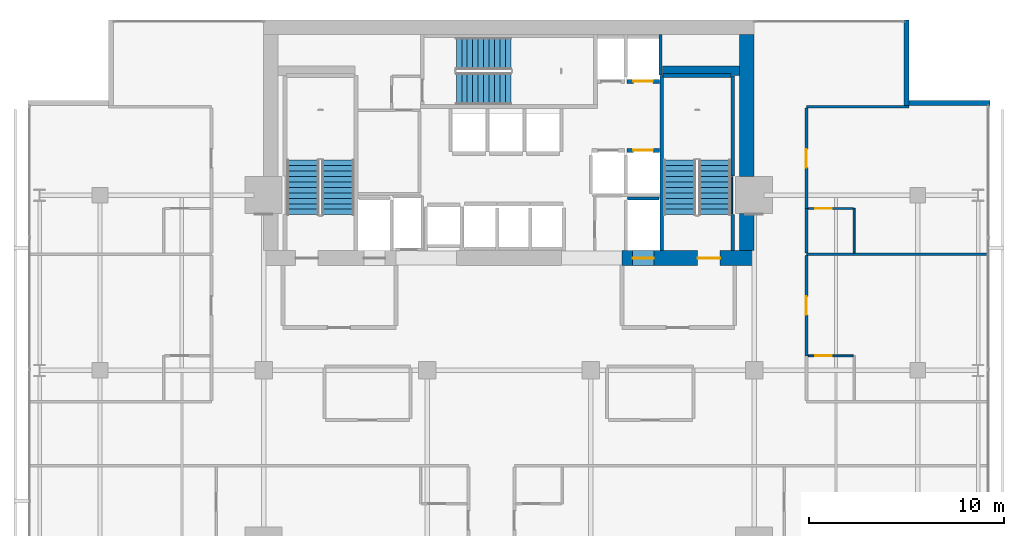
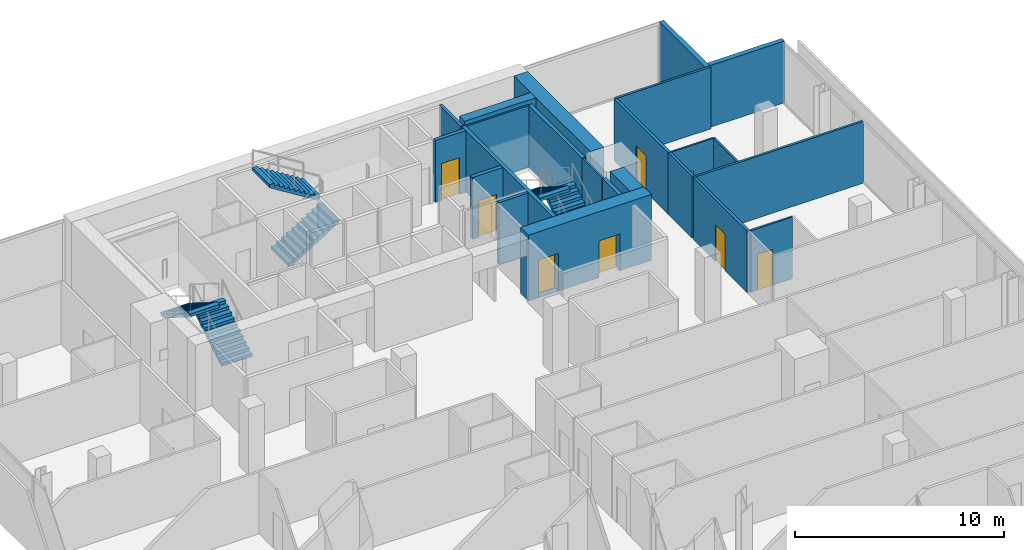
# One storey, part 31 of 34: 23 walls, 8 doors, 6 stair flights, 8 openings, 3 elements without a shape of their own.
"""IFC4 building model written with IfcOpenShell, lengths in metres."""

import ifcopenshell
import ifcopenshell.guid

model = None  # the IFC model being written
_history = None  # IfcOwnerHistory: only IFC2X3 demands one
_inside = {}  # id of a spatial element -> (the spatial element, [elements in it])
_under = {}  # id of a project, library or spatial element -> (it, [spatial elements below it])
_declared = {}  # id of a project -> (the project, [libraries it declares])
_typed = {}  # id of a type object -> (the type object, [elements of that type])
_made_of = {}  # id of a material, layer set ... -> (it, [elements and type objects made of it])


def new_model(schema):
    """Start an empty IFC model of exactly this schema.

    Asked for "IFC4X3", IfcOpenShell would pick the latest addendum, in which some entities
    have other attributes; the version numbers below select the first issue.
    IFC2X3 requires an IfcOwnerHistory on every rooted entity: one is made here for all.
    """
    global model, _history
    if schema == "IFC4X3":
        model = ifcopenshell.file(schema_version=(4, 3, 0, 0))
    else:
        model = ifcopenshell.file(schema=schema)
    _inside.clear()
    _under.clear()
    _declared.clear()
    _typed.clear()
    _made_of.clear()
    _history = None
    if model.schema == "IFC2X3":
        org = make("IfcOrganization", Name="unknown")
        user = make(
            "IfcPersonAndOrganization",
            ThePerson=make("IfcPerson", FamilyName="unknown"),
            TheOrganization=org,
        )
        app = make(
            "IfcApplication",
            ApplicationDeveloper=org,
            Version="unknown",
            ApplicationFullName="unknown",
            ApplicationIdentifier="unknown",
        )
        _history = make(
            "IfcOwnerHistory",
            OwningUser=user,
            OwningApplication=app,
            ChangeAction="ADDED",
            CreationDate=0,
        )
    return model


def make(cls, **values):
    """One entity of the class cls with the attributes given. An attribute that is None is left unset."""
    return model.create_entity(
        cls, **{name: value for name, value in values.items() if value is not None}
    )


def rooted(cls, **values):
    """An entity with a GlobalId (a new one), such as an element, a storey or a relation."""
    return make(cls, GlobalId=ifcopenshell.guid.new(), OwnerHistory=_history, **values)


def si_unit(unit_type, name, prefix=None):
    """IfcSIUnit, for example si_unit("LENGTHUNIT", "METRE", prefix="MILLI")."""
    return make("IfcSIUnit", UnitType=unit_type, Prefix=prefix, Name=name)


def assignment(units):
    """IfcUnitAssignment: the units of a project."""
    return None if units is None else make("IfcUnitAssignment", Units=units)


def point(xyz):
    """IfcCartesianPoint."""
    return None if xyz is None else make("IfcCartesianPoint", Coordinates=xyz)


def direction(xyz):
    """IfcDirection."""
    return None if xyz is None else make("IfcDirection", DirectionRatios=xyz)


def frame(location, z_axis=None, x_axis=None):
    """IfcAxis2Placement3D, a coordinate frame: its origin and axes. An axis left out is left unset."""
    return make(
        "IfcAxis2Placement3D",
        Location=point(location),
        Axis=direction(z_axis),
        RefDirection=direction(x_axis),
    )


def frame_2d(location, x_axis=None):
    """IfcAxis2Placement2D, a coordinate frame in the plane: its origin and x axis."""
    return make(
        "IfcAxis2Placement2D", Location=point(location), RefDirection=direction(x_axis)
    )


def origin():
    """The frame at (0, 0, 0) with its axes left unset."""
    return frame((0.0, 0.0, 0.0))


def place(relative_to, where):
    """IfcLocalPlacement: puts the frame where relative to a parent placement (None: the world)."""
    return make(
        "IfcLocalPlacement", PlacementRelTo=relative_to, RelativePlacement=where
    )


def context(
    kind, dimensions, precision=None, world=None, true_north=None, identifier=None
):
    """IfcGeometricRepresentationContext, for example the 3D "Model" context."""
    return make(
        "IfcGeometricRepresentationContext",
        ContextIdentifier=identifier,
        ContextType=kind,
        CoordinateSpaceDimension=dimensions,
        Precision=precision,
        WorldCoordinateSystem=world,
        TrueNorth=true_north,
    )


def subcontext(parent, identifier, kind, view, scale=None):
    """IfcGeometricRepresentationSubContext, for example "Body" below "Model"."""
    return make(
        "IfcGeometricRepresentationSubContext",
        ContextIdentifier=identifier,
        ContextType=kind,
        ParentContext=parent,
        TargetScale=scale,
        TargetView=view,
    )


def project(units=None, contexts=None):
    """IfcProject with its units and contexts."""
    return rooted(
        "IfcProject",
        Name="project",
        RepresentationContexts=contexts,
        UnitsInContext=assignment(units),
    )


def spatial(cls, under=None, at=None, **own):
    """A site, building, storey or space (cls), placed at a placement, below another one or the project."""
    s = rooted(cls, ObjectPlacement=at, **own)
    if under is not None:
        _under.setdefault(under.id(), (under, []))[1].append(s)
    return s


def polyline(points):
    """IfcPolyline through the points."""
    return make("IfcPolyline", Points=[point(p) for p in points])


def profile(cls, at=None, kind="AREA", **sizes):
    """A parametric profile (cls). Its sizes go by their IFC names, for example OverallWidth=200.0."""
    return make(cls, ProfileType=kind, Position=at, **sizes)


def rectangle(**sizes):
    """IfcRectangleProfileDef."""
    return profile("IfcRectangleProfileDef", **sizes)


def outline(outer, holes=None, kind="AREA"):
    """IfcArbitraryClosedProfileDef: a profile drawn as a closed curve; with holes, ...WithVoids."""
    if holes is None:
        return make("IfcArbitraryClosedProfileDef", ProfileType=kind, OuterCurve=outer)
    return make(
        "IfcArbitraryProfileDefWithVoids",
        ProfileType=kind,
        OuterCurve=outer,
        InnerCurves=holes,
    )


def extrude(swept, where, along, depth):
    """IfcExtrudedAreaSolid: the profile swept, set in the frame where, extruded along a direction by depth."""
    return make(
        "IfcExtrudedAreaSolid",
        SweptArea=swept,
        Position=where,
        ExtrudedDirection=direction(along),
        Depth=depth,
    )


def shape(context_of_items, identifier, shape_type, items):
    """IfcShapeRepresentation: the items that make up one representation, for example the "Body"."""
    return make(
        "IfcShapeRepresentation",
        ContextOfItems=context_of_items,
        RepresentationIdentifier=identifier,
        RepresentationType=shape_type,
        Items=items,
    )


def material(Name=None, Category=None):
    """IfcMaterial."""
    return make("IfcMaterial", Name=Name, Category=Category)


def layer(
    of_material, thickness, ventilated=None, Name=None, Category=None, Priority=None
):
    """IfcMaterialLayer: one layer of a wall or slab, of a material (None: an air gap)."""
    return make(
        "IfcMaterialLayer",
        Material=of_material,
        LayerThickness=thickness,
        IsVentilated=ventilated,
        Name=Name,
        Category=Category,
        Priority=Priority,
    )


def layer_set(layers, Name=None):
    """IfcMaterialLayerSet."""
    return make("IfcMaterialLayerSet", MaterialLayers=layers, LayerSetName=Name)


def made_of(thing, what):
    """Note that an element or type object is made of a material, layer set ...; save() writes the relation."""
    if what is not None:
        _made_of.setdefault(what.id(), (what, []))[1].append(thing)
    return thing


def type_object(cls, material=None, **own):
    """A type object (cls), such as IfcWallType, which elements share."""
    return made_of(rooted(cls, **own), material)


def element(
    cls,
    number,
    at=None,
    inside=None,
    cuts=None,
    type_object=None,
    material=None,
    context=None,
    identifier="Body",
    shape_type=None,
    held_by="IfcProductDefinitionShape",
    body=None,
    shapes=None,
    **own,
):
    """One element of the class cls, such as IfcWall. Its Tag is "e" and its number.

    at: its placement. inside: the storey or other place that contains it. cuts: it is an
    opening in that element (IfcRelVoidsElement). A single representation is given by context,
    identifier, shape_type and body (its items); several are given by shapes. held_by: the class
    of the entity that holds the representations. save() writes the other relations.
    """
    e = rooted(cls, Tag="e%d" % number, ObjectPlacement=at, **own)
    if body is not None:
        shapes = [shape(context, identifier, shape_type, body)]
    if shapes is not None:
        e.Representation = make(held_by, Representations=shapes)
    if inside is not None:
        _inside.setdefault(inside.id(), (inside, []))[1].append(e)
    if cuts is not None:
        rooted(
            "IfcRelVoidsElement", RelatingBuildingElement=cuts, RelatedOpeningElement=e
        )
    if type_object is not None:
        _typed.setdefault(type_object.id(), (type_object, []))[1].append(e)
    return made_of(e, material)


def fill(opening, filler):
    """IfcRelFillsElement: the door or window that sits in an opening."""
    return rooted(
        "IfcRelFillsElement",
        RelatingOpeningElement=opening,
        RelatedBuildingElement=filler,
    )


def aggregate(whole, parts):
    """IfcRelAggregates: a whole, such as a stair, and the parts it consists of."""
    return rooted("IfcRelAggregates", RelatingObject=whole, RelatedObjects=parts)


def save(model, path):
    """Write the relations noted so far, then the file.

    IfcRelAggregates (storeys below a building ...), IfcRelContainedInSpatialStructure (elements
    in a storey), IfcRelDefinesByType, IfcRelAssociatesMaterial and IfcRelDeclares: one each for
    every whole, place, type object, material and project.
    """
    for whole, parts in _under.values():
        aggregate(whole, parts)
    for where, things in _inside.values():
        rooted(
            "IfcRelContainedInSpatialStructure",
            RelatedElements=things,
            RelatingStructure=where,
        )
    for kind, things in _typed.values():
        rooted("IfcRelDefinesByType", RelatedObjects=things, RelatingType=kind)
    for what, things in _made_of.values():
        rooted("IfcRelAssociatesMaterial", RelatedObjects=things, RelatingMaterial=what)
    for by, libraries in _declared.values():
        rooted("IfcRelDeclares", RelatingContext=by, RelatedDefinitions=libraries)
    model.write(path)


model = new_model("IFC4")

# Units and contexts
model_context = context("Model", 3, precision=1e-05, world=origin(), true_north=direction((0.0, 1.0)))
body_context = subcontext(model_context, "Body", "Model", "MODEL_VIEW")
ifc_project = project(units=[si_unit("LENGTHUNIT", "METRE"), si_unit("AREAUNIT", "SQUARE_METRE"), si_unit("VOLUMEUNIT", "CUBIC_METRE"), si_unit("PLANEANGLEUNIT", "RADIAN"), si_unit("MASSUNIT", "GRAM", prefix="KILO")], contexts=[model_context])

# Site, building, storey
site_placement = place(None, origin())
site = spatial("IfcSite", under=ifc_project, at=site_placement, CompositionType="ELEMENT")
building_placement = place(site_placement, origin())
building = spatial("IfcBuilding", under=site, at=building_placement, Name="Maruvema Waterfront Hotel and Observation Tower", CompositionType="ELEMENT")
storey_placement = place(building_placement, frame((0.0, 0.0, 189.0)))
storey = spatial("IfcBuildingStorey", under=building, at=storey_placement, Name="L46", CompositionType="ELEMENT", Elevation=189.0)

# Wall, opening, door
ifc_material_1 = material(Name="Twin-stud acoustic gypsum drywall", Category="gypsum")
ifc_layer_1 = layer(ifc_material_1, 0.14990234375, Name="Acoustic Corridor and Suite Demising Wall 150 mm")
ifc_layer_set_1 = layer_set([ifc_layer_1], Name="Twin-stud acoustic gypsum drywall")
wall_type_1 = type_object("IfcWallType", Name="Acoustic Corridor and Suite Demising Wall 150 mm", PredefinedType="PARTITIONING", material=ifc_layer_set_1)
wall_1_placement = place(storey_placement, frame((53.080078125, 36.75, 0.0), z_axis=(0.0, 0.0, 1.0), x_axis=(0.0, 1.0, 0.0)))
wall_1 = element("IfcWall", 1, at=wall_1_placement, inside=storey, type_object=wall_type_1, Name="L46 Room L46-NE1 Corridor Wall 113", PredefinedType="PARTITIONING", context=body_context, shape_type="SweptSolid", body=[
    extrude(rectangle(XDim=5.15869140625, YDim=0.14990234375, at=frame_2d((2.579345703125, 0.0))), origin(), (0.0, 0.0, 1.0), 3.610107421875),
])
opening_1_placement = place(wall_1_placement, frame((2.1044921875, 0.0, 0.0)))
opening_1 = element("IfcOpeningElement", 2, at=opening_1_placement, cuts=wall_1, Name="Opening DR-095", PredefinedType="OPENING", context=body_context, shape_type="SweptSolid", body=[
    extrude(rectangle(XDim=0.949951171875, YDim=2.14990234375, at=frame_2d((0.47509765625, 1.074951171875))), frame((0.0, 0.0849609375, 0.0), z_axis=(0.0, -1.0, 0.0), x_axis=(1.0, 0.0, 0.0)), (0.0, 0.0, 1.0), 0.169921875),
])
ifc_material_2 = material(Name="Acoustic solid-core hardwood timber leaf", Category="wood")
door_type_1 = type_object("IfcDoorType", Name="Guestroom Entrance Fire Door 950x2150 mm", OperationType="NOTDEFINED", PredefinedType="DOOR", material=ifc_material_2)
door_1_placement = place(opening_1_placement, frame((0.949951171875, 0.0, 0.0), z_axis=(0.0, 0.0, 1.0), x_axis=(-1.0, 0.0, 0.0)))
door_1 = element("IfcDoor", 3, at=door_1_placement, inside=storey, type_object=door_type_1, Name="L46 Room L46-NE1 Entrance Door", OperationType="SINGLE_SWING_RIGHT", OverallHeight=2.14990234375, OverallWidth=0.949951171875, PredefinedType="DOOR", context=body_context, shape_type="SweptSolid", body=[
    extrude(rectangle(XDim=0.949951171875, YDim=2.14990234375, at=frame_2d((0.47509765625, 1.074951171875))), frame((0.0, 0.02490234375, 0.0), z_axis=(0.0, -1.0, 0.0), x_axis=(1.0, 0.0, 0.0)), (0.0, 0.0, 1.0), 0.050048828125),
])
fill(opening_1, door_1)

# Wall
wall_2_placement = place(storey_placement, frame((53.080078125, 42.02880859375, 0.0), z_axis=(0.0, 0.0, 1.0), x_axis=(0.0, 1.0, 0.0)))
element("IfcWall", 4, at=wall_2_placement, inside=storey, type_object=wall_type_1, Name="L46 Bath L46-NE2 Wall 122", PredefinedType="PARTITIONING", context=body_context, shape_type="SweptSolid", body=[
    extrude(rectangle(XDim=2.2900390625, YDim=0.14990234375, at=frame_2d((1.14501953125, 0.0))), origin(), (0.0, 0.0, 1.0), 3.610107421875),
])

# Wall, opening, door
wall_3_placement = place(storey_placement, frame((53.080078125, 44.31884765625, 0.0), z_axis=(0.0, 0.0, 1.0), x_axis=(0.0, 1.0, 0.0)))
wall_3 = element("IfcWall", 5, at=wall_3_placement, inside=storey, type_object=wall_type_1, Name="L46 Room L46-NE2 Corridor Wall 123", PredefinedType="PARTITIONING", context=body_context, shape_type="SweptSolid", body=[
    extrude(rectangle(XDim=5.15869140625, YDim=0.14990234375, at=frame_2d((2.579345703125, 0.0))), origin(), (0.0, 0.0, 1.0), 3.610107421875),
])
opening_2_placement = place(wall_3_placement, frame((2.104248046875, 0.0, 0.0)))
opening_2 = element("IfcOpeningElement", 6, at=opening_2_placement, cuts=wall_3, Name="Opening DR-095", PredefinedType="OPENING", context=body_context, shape_type="SweptSolid", body=[
    extrude(rectangle(XDim=0.949951171875, YDim=2.14990234375, at=frame_2d((0.47509765625, 1.074951171875))), frame((0.0, 0.0849609375, 0.0), z_axis=(0.0, -1.0, 0.0), x_axis=(1.0, 0.0, 0.0)), (0.0, 0.0, 1.0), 0.169921875),
])
door_2_placement = place(opening_2_placement, frame((0.949951171875, 0.0, 0.0), z_axis=(0.0, 0.0, 1.0), x_axis=(-1.0, 0.0, 0.0)))
door_2 = element("IfcDoor", 7, at=door_2_placement, inside=storey, type_object=door_type_1, Name="L46 Room L46-NE2 Entrance Door", OperationType="SINGLE_SWING_RIGHT", OverallHeight=2.14990234375, OverallWidth=0.949951171875, PredefinedType="DOOR", context=body_context, shape_type="SweptSolid", body=[
    extrude(rectangle(XDim=0.949951171875, YDim=2.14990234375, at=frame_2d((0.47509765625, 1.074951171875))), frame((0.0, 0.02490234375, 0.0), z_axis=(0.0, -1.0, 0.0), x_axis=(1.0, 0.0, 0.0)), (0.0, 0.0, 1.0), 0.050048828125),
])
fill(opening_2, door_2)

# Walls
ifc_material_3 = material(Name="Precast concrete C45/55", Category="concrete")
ifc_layer_2 = layer(ifc_material_3, 0.199951171875, Name="Core Shaft and Stairwell Enclosure Wall 200 mm")
ifc_layer_set_2 = layer_set([ifc_layer_2], Name="Precast concrete C45/55")
wall_type_2 = type_object("IfcWallType", Name="Core Shaft and Stairwell Enclosure Wall 200 mm", PredefinedType="SOLIDWALL", material=ifc_layer_set_2)
wall_4_placement = place(storey_placement, frame((45.64990234375, 42.14990234375, 0.0), z_axis=(0.0, 0.0, 1.0), x_axis=(0.0, 1.0, 0.0)))
element("IfcWall", 8, at=wall_4_placement, inside=storey, type_object=wall_type_2, Name="L46 Stairwell ST-03 West Shaft Wall", PredefinedType="SOLIDWALL", context=body_context, shape_type="SweptSolid", body=[
    extrude(rectangle(XDim=9.0, YDim=0.199951171875, at=frame_2d((4.5, 0.0))), origin(), (0.0, 0.0, 1.0), 3.610107421875),
])
wall_5_placement = place(storey_placement, frame((49.300048828125, 42.14990234375, 0.0), z_axis=(0.0, 0.0, 1.0), x_axis=(0.0, 1.0, 0.0)))
element("IfcWall", 9, at=wall_5_placement, inside=storey, type_object=wall_type_2, Name="L46 Stairwell ST-03 Shaft Lining Wall", PredefinedType="SOLIDWALL", context=body_context, shape_type="SweptSolid", body=[
    extrude(rectangle(XDim=1.8701171875, YDim=0.199951171875, at=frame_2d((0.93505859375, 0.0))), origin(), (0.0, 0.0, 1.0), 3.610107421875),
])
wall_6_placement = place(storey_placement, frame((49.300048828125, 45.97998046875, 0.0), z_axis=(0.0, 0.0, 1.0), x_axis=(0.0, 1.0, 0.0)))
element("IfcWall", 10, at=wall_6_placement, inside=storey, type_object=wall_type_2, Name="L46 Stairwell ST-03 Shaft Lining Wall", PredefinedType="SOLIDWALL", context=body_context, shape_type="SweptSolid", body=[
    extrude(rectangle(XDim=5.14013671875, YDim=0.199951171875, at=frame_2d((2.570068359375, 0.0))), origin(), (0.0, 0.0, 1.0), 3.610107421875),
])
wall_7_placement = place(storey_placement, frame((45.719970703125, 51.14990234375, 0.0), z_axis=(0.0, 0.0, 1.0), x_axis=(1.0, 0.0, 0.0)))
element("IfcWall", 11, at=wall_7_placement, inside=storey, type_object=wall_type_2, Name="L46 Stairwell ST-03 Shaft Lining Wall", PredefinedType="SOLIDWALL", context=body_context, shape_type="SweptSolid", body=[
    extrude(rectangle(XDim=3.5, YDim=0.199951171875, at=frame_2d((1.75, 0.0))), origin(), (0.0, 0.0, 1.0), 3.610107421875),
])

# Wall, opening, door
wall_8_placement = place(storey_placement, frame((43.860107421875, 47.300048828125, 0.0), z_axis=(0.0, 0.0, 1.0), x_axis=(1.0, 0.0, 0.0)))
wall_8 = element("IfcWall", 12, at=wall_8_placement, inside=storey, type_object=wall_type_2, Name="L46 Lift LF-06 Hoistway Front Wall", PredefinedType="SOLIDWALL", context=body_context, shape_type="SweptSolid", body=[
    extrude(rectangle(XDim=1.679931640625, YDim=0.199951171875, at=frame_2d((0.83984375, 0.0))), origin(), (0.0, 0.0, 1.0), 3.610107421875),
])
opening_3_placement = place(wall_8_placement, frame((0.340087890625, 0.0, 0.0)))
opening_3 = element("IfcOpeningElement", 13, at=opening_3_placement, cuts=wall_8, Name="Opening LD-01", PredefinedType="OPENING", context=body_context, shape_type="SweptSolid", body=[
    extrude(rectangle(XDim=1.0, YDim=2.14990234375, at=frame_2d((0.5, 1.074951171875))), frame((0.0, 0.10986328125, 0.0), z_axis=(0.0, -1.0, 0.0), x_axis=(1.0, 0.0, 0.0)), (0.0, 0.0, 1.0), 0.219970703125),
])
ifc_material_4 = material(Name="Brushed stainless steel Grade 316", Category="steel")
door_type_2 = type_object("IfcDoorType", Name="Passenger Lift Sliding Landing Door 1000x2150 mm", OperationType="SLIDING_TO_LEFT", PredefinedType="DOOR", material=ifc_material_4)
door_3_placement = place(opening_3_placement, origin())
door_3 = element("IfcDoor", 14, at=door_3_placement, inside=storey, type_object=door_type_2, Name="L46 Lift LF-06 Sliding Landing Door", OperationType="SLIDING_TO_LEFT", OverallHeight=2.14990234375, OverallWidth=1.0, PredefinedType="DOOR", context=body_context, shape_type="SweptSolid", body=[
    extrude(rectangle(XDim=1.0, YDim=2.14990234375, at=frame_2d((0.5, 1.074951171875))), frame((0.0, 0.02490234375, 0.0), z_axis=(0.0, -1.0, 0.0), x_axis=(1.0, 0.0, 0.0)), (0.0, 0.0, 1.0), 0.050048828125),
])
fill(opening_3, door_3)

wall_9_placement = place(storey_placement, frame((43.860107421875, 50.85009765625, 0.0), z_axis=(0.0, 0.0, 1.0), x_axis=(1.0, 0.0, 0.0)))
wall_9 = element("IfcWall", 15, at=wall_9_placement, inside=storey, type_object=wall_type_2, Name="L46 Lift LF-08 Hoistway Front Wall", PredefinedType="SOLIDWALL", context=body_context, shape_type="SweptSolid", body=[
    extrude(rectangle(XDim=1.679931640625, YDim=0.199951171875, at=frame_2d((0.83984375, 0.0))), origin(), (0.0, 0.0, 1.0), 3.610107421875),
])
opening_4_placement = place(wall_9_placement, frame((0.340087890625, 0.0, 0.0)))
opening_4 = element("IfcOpeningElement", 16, at=opening_4_placement, cuts=wall_9, Name="Opening LD-01", PredefinedType="OPENING", context=body_context, shape_type="SweptSolid", body=[
    extrude(rectangle(XDim=1.0, YDim=2.14990234375, at=frame_2d((0.5, 1.074951171875))), frame((0.0, 0.10986328125, 0.0), z_axis=(0.0, -1.0, 0.0), x_axis=(1.0, 0.0, 0.0)), (0.0, 0.0, 1.0), 0.219970703125),
])
door_4_placement = place(opening_4_placement, frame((1.0, 0.0, 0.0), z_axis=(0.0, 0.0, 1.0), x_axis=(-1.0, 0.0, 0.0)))
door_4 = element("IfcDoor", 17, at=door_4_placement, inside=storey, type_object=door_type_2, Name="L46 Lift LF-08 Sliding Landing Door", OperationType="SLIDING_TO_LEFT", OverallHeight=2.14990234375, OverallWidth=1.0, PredefinedType="DOOR", context=body_context, shape_type="SweptSolid", body=[
    extrude(rectangle(XDim=1.0, YDim=2.14990234375, at=frame_2d((0.5, 1.074951171875))), frame((0.0, 0.02490234375, 0.0), z_axis=(0.0, -1.0, 0.0), x_axis=(1.0, 0.0, 0.0)), (0.0, 0.0, 1.0), 0.050048828125),
])
fill(opening_4, door_4)

# Wall
ifc_material_5 = material(Name="Concrete C70/85", Category="concrete")
ifc_layer_3 = layer(ifc_material_5, 0.5, Name="Core Shear Wall 500 mm")
ifc_layer_set_3 = layer_set([ifc_layer_3], Name="Concrete C70/85")
wall_type_3 = type_object("IfcWallType", Name="Core Shear Wall 500 mm", PredefinedType="SHEAR", material=ifc_layer_set_3)
wall_10_placement = place(storey_placement, frame((45.699951171875, 51.39990234375, 0.0), z_axis=(0.0, 0.0, 1.0), x_axis=(1.0, 0.0, 0.0)))
element("IfcWall", 18, at=wall_10_placement, inside=storey, type_object=wall_type_3, Name="L46 Internal Core Shear Wall NE 500 mm", PredefinedType="SHEAR", context=body_context, shape_type="SweptSolid", body=[
    extrude(rectangle(XDim=3.949951171875, YDim=0.5, at=frame_2d((1.97509765625, 0.0))), origin(), (0.0, 0.0, 1.0), 3.85009765625),
])

# Wall, openings, doors
ifc_material_6 = material(Name="Concrete C70/85", Category="concrete")
ifc_layer_4 = layer(ifc_material_6, 0.75, Name="Core Shear Wall 750 mm")
ifc_layer_set_4 = layer_set([ifc_layer_4], Name="Concrete C70/85")
wall_type_4 = type_object("IfcWallType", Name="Core Shear Wall 750 mm", PredefinedType="SHEAR", material=ifc_layer_set_4)
wall_11_placement = place(storey_placement, frame((43.60009765625, 41.77490234375, 0.0), z_axis=(0.0, 0.0, 1.0), x_axis=(1.0, 0.0, 0.0)))
wall_11 = element("IfcWall", 19, at=wall_11_placement, inside=storey, type_object=wall_type_4, Name="L46 South-East Core Shear Wall", PredefinedType="SHEAR", context=body_context, shape_type="SweptSolid", body=[
    extrude(rectangle(XDim=6.7998046875, YDim=0.75, at=frame_2d((3.39990234375, 0.0))), origin(), (0.0, 0.0, 1.0), 3.85009765625),
])
opening_5_placement = place(wall_11_placement, frame((3.89990234375, 0.0, 0.0)))
opening_5 = element("IfcOpeningElement", 20, at=opening_5_placement, cuts=wall_11, Name="Opening SD-01", PredefinedType="OPENING", context=body_context, shape_type="SweptSolid", body=[
    extrude(rectangle(XDim=1.14990234375, YDim=2.14990234375, at=frame_2d((0.574951171875, 1.074951171875))), frame((0.0, 0.385009765625, 0.0), z_axis=(0.0, -1.0, 0.0), x_axis=(1.0, 0.0, 0.0)), (0.0, 0.0, 1.0), 0.77001953125),
])
opening_6_placement = place(wall_11_placement, frame((0.550048828125, 0.0, 0.0)))
opening_6 = element("IfcOpeningElement", 21, at=opening_6_placement, cuts=wall_11, Name="Opening LD-03", PredefinedType="OPENING", context=body_context, shape_type="SweptSolid", body=[
    extrude(rectangle(XDim=1.10009765625, YDim=2.199951171875, at=frame_2d((0.550048828125, 1.10009765625))), frame((0.0, 0.385009765625, 0.0), z_axis=(0.0, -1.0, 0.0), x_axis=(1.0, 0.0, 0.0)), (0.0, 0.0, 1.0), 0.77001953125),
])
ifc_material_7 = material(Name="Fire-rated galvanised steel leaf", Category="steel")
door_type_3 = type_object("IfcDoorType", Name="Exit Stair Fire Door 1150x2150 mm", OperationType="NOTDEFINED", PredefinedType="DOOR", material=ifc_material_7)
door_5_placement = place(opening_5_placement, origin())
door_5 = element("IfcDoor", 22, at=door_5_placement, inside=storey, type_object=door_type_3, Name="L46 Exit Stair ST-03 Fire Door", OperationType="SINGLE_SWING_RIGHT", OverallHeight=2.14990234375, OverallWidth=1.14990234375, PredefinedType="DOOR", context=body_context, shape_type="SweptSolid", body=[
    extrude(rectangle(XDim=1.14990234375, YDim=2.14990234375, at=frame_2d((0.574951171875, 1.074951171875))), frame((0.0, 0.02490234375, 0.0), z_axis=(0.0, -1.0, 0.0), x_axis=(1.0, 0.0, 0.0)), (0.0, 0.0, 1.0), 0.050048828125),
])
fill(opening_5, door_5)
ifc_material_8 = material(Name="Brushed stainless steel Grade 316", Category="steel")
door_type_4 = type_object("IfcDoorType", Name="Firefighting Lift Sliding Landing Door 1100x2200 mm", OperationType="SLIDING_TO_LEFT", PredefinedType="DOOR", material=ifc_material_8)
door_6_placement = place(opening_6_placement, frame((1.10009765625, 0.0, 0.0), z_axis=(0.0, 0.0, 1.0), x_axis=(-1.0, 0.0, 0.0)))
door_6 = element("IfcDoor", 23, at=door_6_placement, inside=storey, type_object=door_type_4, Name="L46 Firefighting Lift FL-02 Landing Door", OperationType="SLIDING_TO_LEFT", OverallHeight=2.199951171875, OverallWidth=1.10009765625, PredefinedType="DOOR", context=body_context, shape_type="SweptSolid", body=[
    extrude(rectangle(XDim=1.10009765625, YDim=2.199951171875, at=frame_2d((0.550048828125, 1.10009765625))), frame((0.0, 0.02490234375, 0.0), z_axis=(0.0, -1.0, 0.0), x_axis=(1.0, 0.0, 0.0)), (0.0, 0.0, 1.0), 0.050048828125),
])
fill(opening_6, door_6)

# Walls
wall_12_placement = place(storey_placement, frame((50.02490234375, 42.14990234375, 0.0), z_axis=(0.0, 0.0, 1.0), x_axis=(0.0, 1.0, 0.0)))
element("IfcWall", 24, at=wall_12_placement, inside=storey, type_object=wall_type_4, Name="L46 East-South Core Shear Wall", PredefinedType="SHEAR", context=body_context, shape_type="SweptSolid", body=[
    extrude(rectangle(XDim=1.900146484375, YDim=0.75, at=frame_2d((0.9501953125, 0.0))), origin(), (0.0, 0.0, 1.0), 3.85009765625),
])
wall_13_placement = place(storey_placement, frame((50.02490234375, 45.949951171875, 0.0), z_axis=(0.0, 0.0, 1.0), x_axis=(0.0, 1.0, 0.0)))
element("IfcWall", 25, at=wall_13_placement, inside=storey, type_object=wall_type_4, Name="L46 East-North Core Shear Wall", PredefinedType="SHEAR", context=body_context, shape_type="SweptSolid", body=[
    extrude(rectangle(XDim=7.300048828125, YDim=0.75, at=frame_2d((3.64990234375, 0.0))), origin(), (0.0, 0.0, 1.0), 3.85009765625),
])

# Wall, opening, door
ifc_material_9 = material(Name="Moisture-resistant cement-board drywall", Category="gypsum")
ifc_layer_5 = layer(ifc_material_9, 0.10009765625, Name="En-Suite Moisture-Resistant Partition 100 mm")
ifc_layer_set_5 = layer_set([ifc_layer_5], Name="Moisture-resistant cement-board drywall")
wall_type_5 = type_object("IfcWallType", Name="En-Suite Moisture-Resistant Partition 100 mm", PredefinedType="PARTITIONING", material=ifc_layer_set_5)
wall_14_placement = place(storey_placement, frame((53.179931640625, 36.75, 0.0), z_axis=(0.0, 0.0, 1.0), x_axis=(1.0, 0.0, 0.0)))
wall_14 = element("IfcWall", 26, at=wall_14_placement, inside=storey, type_object=wall_type_5, Name="L46 En-Suite L46-NE1 N 115", PredefinedType="PARTITIONING", context=body_context, shape_type="SweptSolid", body=[
    extrude(rectangle(XDim=2.300048828125, YDim=0.10009765625, at=frame_2d((1.14990234375, 0.0))), origin(), (0.0, 0.0, 1.0), 3.610107421875),
])
opening_7_placement = place(wall_14_placement, frame((0.35009765625, 0.0, 0.0)))
opening_7 = element("IfcOpeningElement", 27, at=opening_7_placement, cuts=wall_14, Name="Opening DR-085", PredefinedType="OPENING", context=body_context, shape_type="SweptSolid", body=[
    extrude(rectangle(XDim=0.85009765625, YDim=2.10009765625, at=frame_2d((0.425048828125, 1.050048828125))), frame((0.0, 0.06005859375, 0.0), z_axis=(0.0, -1.0, 0.0), x_axis=(1.0, 0.0, 0.0)), (0.0, 0.0, 1.0), 0.1201171875),
])
ifc_material_10 = material(Name="Moisture-resistant solid timber leaf", Category="wood")
door_type_5 = type_object("IfcDoorType", Name="En-Suite Bathroom Door 850x2100 mm", OperationType="NOTDEFINED", PredefinedType="DOOR", material=ifc_material_10)
door_7_placement = place(opening_7_placement, origin())
door_7 = element("IfcDoor", 28, at=door_7_placement, inside=storey, type_object=door_type_5, Name="L46 En-Suite L46-NE1 Door", OperationType="SINGLE_SWING_LEFT", OverallHeight=2.10009765625, OverallWidth=0.85009765625, PredefinedType="DOOR", context=body_context, shape_type="SweptSolid", body=[
    extrude(rectangle(XDim=0.85009765625, YDim=2.10009765625, at=frame_2d((0.425048828125, 1.050048828125))), frame((0.0, 0.02490234375, 0.0), z_axis=(0.0, -1.0, 0.0), x_axis=(1.0, 0.0, 0.0)), (0.0, 0.0, 1.0), 0.050048828125),
])
fill(opening_7, door_7)

# Wall
wall_15_placement = place(storey_placement, frame((55.530029296875, 42.02880859375, 0.0), z_axis=(0.0, 0.0, 1.0), x_axis=(0.0, 1.0, 0.0)))
element("IfcWall", 29, at=wall_15_placement, inside=storey, type_object=wall_type_5, Name="L46 En-Suite L46-NE2 E 124", PredefinedType="PARTITIONING", context=body_context, shape_type="SweptSolid", body=[
    extrude(rectangle(XDim=2.2900390625, YDim=0.10009765625, at=frame_2d((1.14501953125, 0.0))), origin(), (0.0, 0.0, 1.0), 3.610107421875),
])

# Wall, opening, door
wall_16_placement = place(storey_placement, frame((53.179931640625, 44.31884765625, 0.0), z_axis=(0.0, 0.0, 1.0), x_axis=(1.0, 0.0, 0.0)))
wall_16 = element("IfcWall", 30, at=wall_16_placement, inside=storey, type_object=wall_type_5, Name="L46 En-Suite L46-NE2 N 125", PredefinedType="PARTITIONING", context=body_context, shape_type="SweptSolid", body=[
    extrude(rectangle(XDim=2.300048828125, YDim=0.10009765625, at=frame_2d((1.14990234375, 0.0))), origin(), (0.0, 0.0, 1.0), 3.610107421875),
])
opening_8_placement = place(wall_16_placement, frame((0.35009765625, 0.0, 0.0)))
opening_8 = element("IfcOpeningElement", 31, at=opening_8_placement, cuts=wall_16, Name="Opening DR-085", PredefinedType="OPENING", context=body_context, shape_type="SweptSolid", body=[
    extrude(rectangle(XDim=0.85009765625, YDim=2.10009765625, at=frame_2d((0.425048828125, 1.050048828125))), frame((0.0, 0.06005859375, 0.0), z_axis=(0.0, -1.0, 0.0), x_axis=(1.0, 0.0, 0.0)), (0.0, 0.0, 1.0), 0.1201171875),
])
door_8_placement = place(opening_8_placement, origin())
door_8 = element("IfcDoor", 32, at=door_8_placement, inside=storey, type_object=door_type_5, Name="L46 En-Suite L46-NE2 Door", OperationType="SINGLE_SWING_LEFT", OverallHeight=2.10009765625, OverallWidth=0.85009765625, PredefinedType="DOOR", context=body_context, shape_type="SweptSolid", body=[
    extrude(rectangle(XDim=0.85009765625, YDim=2.10009765625, at=frame_2d((0.425048828125, 1.050048828125))), frame((0.0, 0.02490234375, 0.0), z_axis=(0.0, -1.0, 0.0), x_axis=(1.0, 0.0, 0.0)), (0.0, 0.0, 1.0), 0.050048828125),
])
fill(opening_8, door_8)

# Walls
ifc_material_11 = material(Name="Precast concrete C45/55 with honed Pernambuco granite facing", Category="masonry")
ifc_layer_6 = layer(ifc_material_11, 0.260009765625, Name="Exterior Granite Clad Spandrel and Pier Wall 260 mm")
ifc_layer_set_6 = layer_set([ifc_layer_6], Name="Precast concrete C45/55 with honed Pernambuco granite facing")
wall_type_6 = type_object("IfcWallType", Name="Exterior Granite Clad Spandrel and Pier Wall 260 mm", PredefinedType="SOLIDWALL", material=ifc_layer_set_6)
for number, where, z_axis, x_axis, name in (
    (33, (58.22998046875, 54.0, 0.0), (0.0, 0.0, 1.0), (0.0, -1.0, 0.0), "L46 Corner Notch Granite Pier Wall NE1"),
    (34, (58.10009765625, 49.72998046875, 0.0), (0.0, 0.0, 1.0), (1.0, 0.0, 0.0), "L46 Corner Notch Granite Pier Wall NE2"),
):
    element("IfcWall", number, at=place(storey_placement, frame(where, z_axis=z_axis, x_axis=x_axis)), inside=storey, type_object=wall_type_6, Name=name, PredefinedType="SOLIDWALL", context=body_context, shape_type="SweptSolid", body=[
        extrude(rectangle(XDim=4.39990234375, YDim=0.260009765625, at=frame_2d((2.199951171875, 0.0))), origin(), (0.0, 0.0, 1.0), 3.610107421875),
    ])
ifc_material_12 = material(Name="Acoustic gypsum plasterboard drywall", Category="gypsum")
ifc_layer_7 = layer(ifc_material_12, 0.125, Name="Guestroom Acoustic Demising Wall 125 mm")
ifc_layer_set_7 = layer_set([ifc_layer_7], Name="Acoustic gypsum plasterboard drywall")
wall_type_7 = type_object("IfcWallType", Name="Guestroom Acoustic Demising Wall 125 mm", PredefinedType="PARTITIONING", material=ifc_layer_set_7)
wall_17_placement = place(storey_placement, frame((53.080078125, 49.53759765625, 0.0), z_axis=(0.0, 0.0, 1.0), x_axis=(1.0, 0.0, 0.0)))
element("IfcWall", 35, at=wall_17_placement, inside=storey, type_object=wall_type_7, Name="L46 Z2 NE Top End 107", PredefinedType="PARTITIONING", context=body_context, shape_type="SweptSolid", body=[
    extrude(rectangle(XDim=5.280029296875, YDim=0.125, at=frame_2d((2.64013671875, 0.0))), origin(), (0.0, 0.0, 1.0), 3.610107421875),
])
wall_18_placement = place(storey_placement, frame((53.080078125, 41.96875, 0.0), z_axis=(0.0, 0.0, 1.0), x_axis=(1.0, 0.0, 0.0)))
element("IfcWall", 36, at=wall_18_placement, inside=storey, type_object=wall_type_7, Name="L46 Z2 NE Demising 2 117", PredefinedType="PARTITIONING", context=body_context, shape_type="SweptSolid", body=[
    extrude(rectangle(XDim=9.31982421875, YDim=0.125, at=frame_2d((4.659912109375, 0.0))), origin(), (0.0, 0.0, 1.0), 3.610107421875),
])
ifc_material_13 = material(Name="Precast concrete C45/55", Category="concrete")
ifc_layer_8 = layer(ifc_material_13, 0.159912109375, Name="Lift Hoistway Divider Wall 160 mm")
ifc_layer_set_8 = layer_set([ifc_layer_8], Name="Precast concrete C45/55")
wall_type_8 = type_object("IfcWallType", Name="Lift Hoistway Divider Wall 160 mm", PredefinedType="SOLIDWALL", material=ifc_layer_set_8)
wall_19_placement = place(storey_placement, frame((43.89990234375, 44.830078125, 0.0), z_axis=(0.0, 0.0, 1.0), x_axis=(1.0, 0.0, 0.0)))
element("IfcWall", 37, at=wall_19_placement, inside=storey, type_object=wall_type_8, Name="L46 Lift FL-02 Rear Hoistway Wall", PredefinedType="SOLIDWALL", context=body_context, shape_type="SweptSolid", body=[
    extrude(rectangle(XDim=1.60009765625, YDim=0.159912109375, at=frame_2d((0.800048828125, 0.0))), origin(), (0.0, 0.0, 1.0), 3.610107421875),
])
wall_20_placement = place(storey_placement, frame((45.590087890625, 51.179931640625, 0.0), z_axis=(0.0, 0.0, 1.0), x_axis=(0.0, 1.0, 0.0)))
element("IfcWall", 38, at=wall_20_placement, inside=storey, type_object=wall_type_8, Name="L46 Hoistway Divider Wall", PredefinedType="SOLIDWALL", context=body_context, shape_type="SweptSolid", body=[
    extrude(rectangle(XDim=2.070068359375, YDim=0.159912109375, at=frame_2d((1.03515625, 0.0))), origin(), (0.0, 0.0, 1.0), 3.610107421875),
])
ifc_material_14 = material(Name="Precast concrete C45/55", Category="concrete")
ifc_layer_9 = layer(ifc_material_14, 0.10009765625, Name="Stairwell Stringer Cheek Wall 100 mm")
ifc_layer_set_9 = layer_set([ifc_layer_9], Name="Precast concrete C45/55")
wall_type_9 = type_object("IfcWallType", Name="Stairwell Stringer Cheek Wall 100 mm", PredefinedType="SOLIDWALL", material=ifc_layer_set_9)
wall_21_placement = place(storey_placement, frame((49.248046875, 44.0400390625, 0.0), z_axis=(0.0, 0.0, 1.0), x_axis=(0.0, 1.0, 0.0)))
element("IfcWall", 39, at=wall_21_placement, inside=storey, type_object=wall_type_9, Name="L46 Stairwell ST-03 Mega-Column Cheek Wall", PredefinedType="SOLIDWALL", context=body_context, shape_type="SweptSolid", body=[
    extrude(rectangle(XDim=1.919921875, YDim=0.10009765625, at=frame_2d((0.9599609375, 0.0))), origin(), (0.0, 0.0, 1.0), 3.610107421875),
])

# Stair, stair flights
ifc_material_15 = material(Name="Concrete C50/60", Category="concrete")
stair_type = type_object("IfcStairType", Name="Dogleg Exit Stair 1650 mm (22R x 175.0 mm)", PredefinedType="HALF_TURN_STAIR", material=ifc_material_15)
stair_1_placement = place(storey_placement, origin())
stair_1 = element("IfcStair", 40, at=stair_1_placement, inside=storey, type_object=stair_type, Name="L46 ST-01", PredefinedType="HALF_TURN_STAIR")
ifc_material_16 = material(Name="Concrete C50/60", Category="concrete")
stair_flight_type = type_object("IfcStairFlightType", Name="Reinforced Concrete Stair Flight 1650 mm (11R x 175.0 mm)", PredefinedType="STRAIGHT", material=ifc_material_16)
stair_flight_1_placement = place(storey_placement, frame((29.02490234375, 44.0, 0.0), z_axis=(0.0, 0.0, 1.0), x_axis=(0.0, 1.0, 0.0)))
stair_flight_1 = element("IfcStairFlight", 41, at=stair_flight_1_placement, type_object=stair_flight_type, Name="ST-01 flight 1", NumberOfRisers=11, NumberOfTreads=10, PredefinedType="STRAIGHT", RiserHeight=0.175, TreadLength=0.28, context=body_context, shape_type="SweptSolid", body=[
    extrude(outline(polyline([(0.0, 0.0), (0.0, 0.175048828125), (0.280029296875, 0.175048828125), (0.280029296875, 0.35009765625), (0.56005859375, 0.35009765625), (0.56005859375, 0.52490234375), (0.840087890625, 0.52490234375), (0.840087890625, 0.699951171875), (1.1201171875, 0.699951171875), (1.1201171875, 0.875), (1.39990234375, 0.875), (1.39990234375, 1.050048828125), (1.679931640625, 1.050048828125), (1.679931640625, 1.22509765625), (1.9599609375, 1.22509765625), (1.9599609375, 1.39990234375), (2.239990234375, 1.39990234375), (2.239990234375, 1.574951171875), (2.52001953125, 1.574951171875), (2.52001953125, 1.75), (2.800048828125, 1.75), (2.800048828125, 1.925048828125), (2.800048828125, 1.5732421875), (0.28271484375, 0.0), (0.0, 0.0)])), frame((0.0, 0.824951171875, 0.0), z_axis=(0.0, -1.0, 0.0), x_axis=(1.0, 0.0, 0.0)), (0.0, 0.0, 1.0), 1.64990234375),
])
stair_flight_2_placement = place(storey_placement, frame((27.22509765625, 46.800048828125, 1.925048828125), z_axis=(0.0, 0.0, 1.0), x_axis=(0.0, -1.0, 0.0)))
stair_flight_2 = element("IfcStairFlight", 42, at=stair_flight_2_placement, type_object=stair_flight_type, Name="ST-01 flight 2", NumberOfRisers=11, NumberOfTreads=10, PredefinedType="STRAIGHT", RiserHeight=0.175, TreadLength=0.28, context=body_context, shape_type="SweptSolid", body=[
    extrude(outline(polyline([(0.0, 0.0), (0.0, 0.175048828125), (0.280029296875, 0.175048828125), (0.280029296875, 0.35009765625), (0.56005859375, 0.35009765625), (0.56005859375, 0.52490234375), (0.840087890625, 0.52490234375), (0.840087890625, 0.699951171875), (1.1201171875, 0.699951171875), (1.1201171875, 0.875), (1.39990234375, 0.875), (1.39990234375, 1.050048828125), (1.679931640625, 1.050048828125), (1.679931640625, 1.22509765625), (1.9599609375, 1.22509765625), (1.9599609375, 1.39990234375), (2.239990234375, 1.39990234375), (2.239990234375, 1.574951171875), (2.52001953125, 1.574951171875), (2.52001953125, 1.75), (2.800048828125, 1.75), (2.800048828125, 1.925048828125), (2.800048828125, 1.5732421875), (0.28271484375, 0.0), (0.0, 0.0)])), frame((0.0, 0.824951171875, 0.0), z_axis=(0.0, -1.0, 0.0), x_axis=(1.0, 0.0, 0.0)), (0.0, 0.0, 1.0), 1.64990234375),
])
aggregate(stair_1, [stair_flight_1, stair_flight_2])

stair_2_placement = place(storey_placement, origin())
stair_2 = element("IfcStair", 43, at=stair_2_placement, inside=storey, type_object=stair_type, Name="L46 ST-02", PredefinedType="HALF_TURN_STAIR")
stair_flight_3_placement = place(storey_placement, frame((35.10009765625, 50.47509765625, 0.0), z_axis=(0.0, 0.0, 1.0), x_axis=(1.0, 0.0, 0.0)))
stair_flight_3 = element("IfcStairFlight", 44, at=stair_flight_3_placement, type_object=stair_flight_type, Name="ST-02 flight 1", NumberOfRisers=11, NumberOfTreads=10, PredefinedType="STRAIGHT", RiserHeight=0.175, TreadLength=0.28, context=body_context, shape_type="SweptSolid", body=[
    extrude(outline(polyline([(0.0, 0.0), (0.0, 0.175048828125), (0.280029296875, 0.175048828125), (0.280029296875, 0.35009765625), (0.56005859375, 0.35009765625), (0.56005859375, 0.52490234375), (0.840087890625, 0.52490234375), (0.840087890625, 0.699951171875), (1.1201171875, 0.699951171875), (1.1201171875, 0.875), (1.39990234375, 0.875), (1.39990234375, 1.050048828125), (1.679931640625, 1.050048828125), (1.679931640625, 1.22509765625), (1.9599609375, 1.22509765625), (1.9599609375, 1.39990234375), (2.239990234375, 1.39990234375), (2.239990234375, 1.574951171875), (2.52001953125, 1.574951171875), (2.52001953125, 1.75), (2.800048828125, 1.75), (2.800048828125, 1.925048828125), (2.800048828125, 1.5732421875), (0.28271484375, 0.0), (0.0, 0.0)])), frame((0.0, 0.824951171875, 0.0), z_axis=(0.0, -1.0, 0.0), x_axis=(1.0, 0.0, 0.0)), (0.0, 0.0, 1.0), 1.64990234375),
])
stair_flight_4_placement = place(storey_placement, frame((37.89990234375, 52.27490234375, 1.925048828125), z_axis=(0.0, 0.0, 1.0), x_axis=(-1.0, 0.0, 0.0)))
stair_flight_4 = element("IfcStairFlight", 45, at=stair_flight_4_placement, type_object=stair_flight_type, Name="ST-02 flight 2", NumberOfRisers=11, NumberOfTreads=10, PredefinedType="STRAIGHT", RiserHeight=0.175, TreadLength=0.28, context=body_context, shape_type="SweptSolid", body=[
    extrude(outline(polyline([(0.0, 0.0), (0.0, 0.175048828125), (0.280029296875, 0.175048828125), (0.280029296875, 0.35009765625), (0.56005859375, 0.35009765625), (0.56005859375, 0.52490234375), (0.840087890625, 0.52490234375), (0.840087890625, 0.699951171875), (1.1201171875, 0.699951171875), (1.1201171875, 0.875), (1.39990234375, 0.875), (1.39990234375, 1.050048828125), (1.679931640625, 1.050048828125), (1.679931640625, 1.22509765625), (1.9599609375, 1.22509765625), (1.9599609375, 1.39990234375), (2.239990234375, 1.39990234375), (2.239990234375, 1.574951171875), (2.52001953125, 1.574951171875), (2.52001953125, 1.75), (2.800048828125, 1.75), (2.800048828125, 1.925048828125), (2.800048828125, 1.5732421875), (0.28271484375, 0.0), (0.0, 0.0)])), frame((0.0, 0.824951171875, 0.0), z_axis=(0.0, -1.0, 0.0), x_axis=(1.0, 0.0, 0.0)), (0.0, 0.0, 1.0), 1.64990234375),
])
aggregate(stair_2, [stair_flight_3, stair_flight_4])

stair_3_placement = place(storey_placement, origin())
stair_3 = element("IfcStair", 46, at=stair_3_placement, inside=storey, type_object=stair_type, Name="L46 ST-03", PredefinedType="HALF_TURN_STAIR")
stair_flight_5_placement = place(storey_placement, frame((48.375, 44.0, 0.0), z_axis=(0.0, 0.0, 1.0), x_axis=(0.0, 1.0, 0.0)))
stair_flight_5 = element("IfcStairFlight", 47, at=stair_flight_5_placement, type_object=stair_flight_type, Name="ST-03 flight 1", NumberOfRisers=11, NumberOfTreads=10, PredefinedType="STRAIGHT", RiserHeight=0.175, TreadLength=0.28, context=body_context, shape_type="SweptSolid", body=[
    extrude(outline(polyline([(0.0, 0.0), (0.0, 0.175048828125), (0.280029296875, 0.175048828125), (0.280029296875, 0.35009765625), (0.56005859375, 0.35009765625), (0.56005859375, 0.52490234375), (0.840087890625, 0.52490234375), (0.840087890625, 0.699951171875), (1.1201171875, 0.699951171875), (1.1201171875, 0.875), (1.39990234375, 0.875), (1.39990234375, 1.050048828125), (1.679931640625, 1.050048828125), (1.679931640625, 1.22509765625), (1.9599609375, 1.22509765625), (1.9599609375, 1.39990234375), (2.239990234375, 1.39990234375), (2.239990234375, 1.574951171875), (2.52001953125, 1.574951171875), (2.52001953125, 1.75), (2.800048828125, 1.75), (2.800048828125, 1.925048828125), (2.800048828125, 1.5732421875), (0.28271484375, 0.0), (0.0, 0.0)])), frame((0.0, 0.824951171875, 0.0), z_axis=(0.0, -1.0, 0.0), x_axis=(1.0, 0.0, 0.0)), (0.0, 0.0, 1.0), 1.64990234375),
])
stair_flight_6_placement = place(storey_placement, frame((46.574951171875, 46.800048828125, 1.925048828125), z_axis=(0.0, 0.0, 1.0), x_axis=(0.0, -1.0, 0.0)))
stair_flight_6 = element("IfcStairFlight", 48, at=stair_flight_6_placement, type_object=stair_flight_type, Name="ST-03 flight 2", NumberOfRisers=11, NumberOfTreads=10, PredefinedType="STRAIGHT", RiserHeight=0.175, TreadLength=0.28, context=body_context, shape_type="SweptSolid", body=[
    extrude(outline(polyline([(0.0, 0.0), (0.0, 0.175048828125), (0.280029296875, 0.175048828125), (0.280029296875, 0.35009765625), (0.56005859375, 0.35009765625), (0.56005859375, 0.52490234375), (0.840087890625, 0.52490234375), (0.840087890625, 0.699951171875), (1.1201171875, 0.699951171875), (1.1201171875, 0.875), (1.39990234375, 0.875), (1.39990234375, 1.050048828125), (1.679931640625, 1.050048828125), (1.679931640625, 1.22509765625), (1.9599609375, 1.22509765625), (1.9599609375, 1.39990234375), (2.239990234375, 1.39990234375), (2.239990234375, 1.574951171875), (2.52001953125, 1.574951171875), (2.52001953125, 1.75), (2.800048828125, 1.75), (2.800048828125, 1.925048828125), (2.800048828125, 1.5732421875), (0.28271484375, 0.0), (0.0, 0.0)])), frame((0.0, 0.824951171875, 0.0), z_axis=(0.0, -1.0, 0.0), x_axis=(1.0, 0.0, 0.0)), (0.0, 0.0, 1.0), 1.64990234375),
])
aggregate(stair_3, [stair_flight_5, stair_flight_6])

save(model, "model.ifc")
